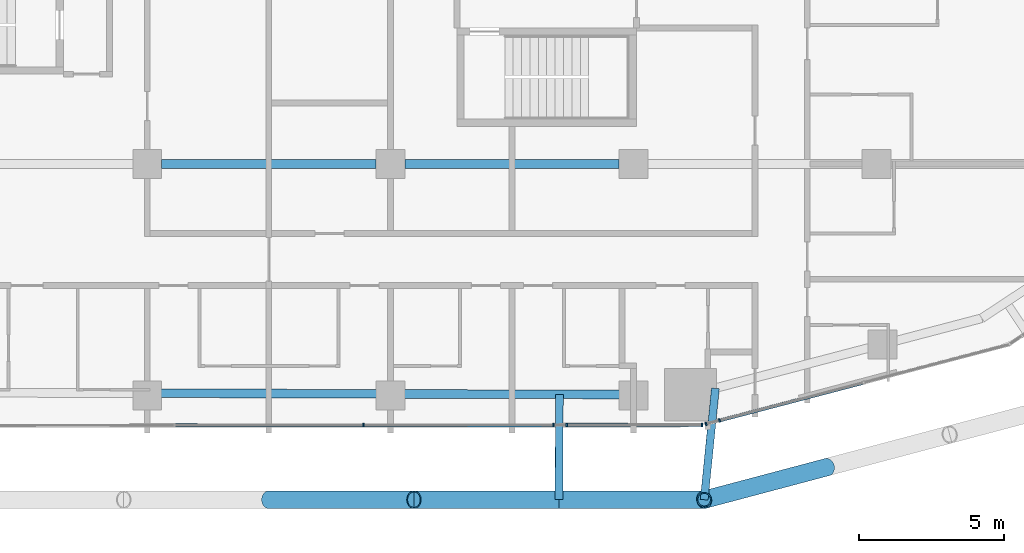
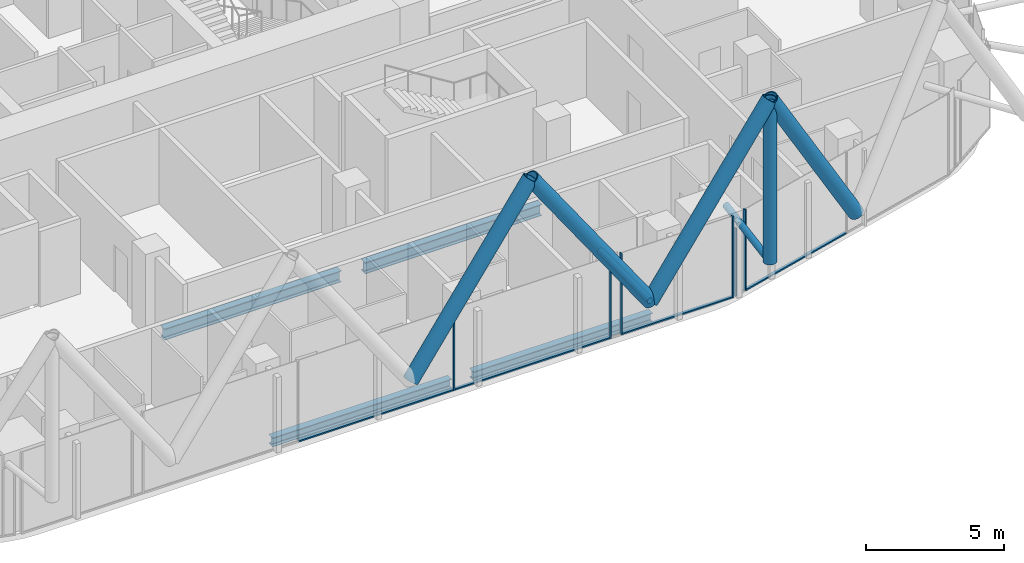
# One storey, part 5 of 38: 17 members, 4 beams, 5 elements without a shape of their own.
"""IFC4 building model written with IfcOpenShell, lengths in metres."""

from ifc_helpers import new_model, si_unit, direction, frame, origin, origin_2d, place, context, subcontext, project, spatial, rectangle, hollow_circle, i_section, extrude, material, layer, layer_set, material_profile, profile_set, type_object, element, aggregate, save


model = new_model("IFC4")

# Units and contexts
model_context = context("Model", 3, precision=1e-05, world=origin(), true_north=direction((0.0, 1.0)))
body_context = subcontext(model_context, "Body", "Model", "MODEL_VIEW")
ifc_project = project(units=[si_unit("LENGTHUNIT", "METRE"), si_unit("AREAUNIT", "SQUARE_METRE"), si_unit("VOLUMEUNIT", "CUBIC_METRE"), si_unit("PLANEANGLEUNIT", "RADIAN"), si_unit("MASSUNIT", "GRAM", prefix="KILO")], contexts=[model_context])

# Site, building, storey
site_placement = place(None, origin())
site = spatial("IfcSite", under=ifc_project, at=site_placement, CompositionType="ELEMENT")
building_placement = place(site_placement, origin())
building = spatial("IfcBuilding", under=site, at=building_placement, Name="Marenta Gate Hotel Tower", CompositionType="ELEMENT")
storey_placement = place(building_placement, frame((0.0, 0.0, 68.89990234375)))
storey = spatial("IfcBuildingStorey", under=building, at=storey_placement, Name="L15", CompositionType="ELEMENT", Elevation=68.89990234375)

# Members
ifc_material_1 = material(Name="Steel S355J2W", Category="steel")
ifc_material_profile_1 = material_profile(ifc_material_1, hollow_circle(Radius=0.25390625, WallThickness=0.0400390625, at=origin_2d()), Name="CHS 508x40")
ifc_profile_set_1 = profile_set([ifc_material_profile_1], Name="Steel S355J2W")
member_type_1 = type_object("IfcMemberType", Name="Diagrid corner post Z1 CHS 508x40", PredefinedType="POST", material=ifc_profile_set_1)
member_1_placement = place(storey_placement, frame((15.0390625, -20.0, 3.14013671875), z_axis=(0.0, 0.0, 1.0), x_axis=(1.0, 0.0, 0.0)))
element("IfcMember", 1, at=member_1_placement, inside=storey, type_object=member_type_1, Name="L15-DR-3", PredefinedType="POST", context=body_context, shape_type="SweptSolid", body=[
    extrude(hollow_circle(Radius=0.25390625, WallThickness=0.0400390625, at=origin_2d()), origin(), (0.0, 0.0, 1.0), 7.199951171875),
])
ifc_material_2 = material(Name="Steel S355J2W", Category="steel")
ifc_material_profile_2 = material_profile(ifc_material_2, hollow_circle(Radius=0.304931640625, WallThickness=0.0400390625, at=origin_2d()), Name="CHS 610x40")
ifc_profile_set_2 = profile_set([ifc_material_profile_2], Name="Steel S355J2W")
member_type_2 = type_object("IfcMemberType", Name="Diagrid diagonal Z1 CHS 610x40", PredefinedType="BRACE", material=ifc_profile_set_2)
member_2_placement = place(storey_placement, frame((19.279296875, -18.875, 3.14013671875), z_axis=(-0.502924018666, -0.133433548941, 0.853968921838), x_axis=(0.256443187528, -0.96655930577, 0.0)))
element("IfcMember", 2, at=member_2_placement, inside=storey, type_object=member_type_2, Name="L15-DG-14", PredefinedType="BRACE", context=body_context, shape_type="SweptSolid", body=[
    extrude(hollow_circle(Radius=0.304931640625, WallThickness=0.0400390625, at=origin_2d()), origin(), (0.0, 0.0, 1.0), 8.43115234375),
])
member_3_placement = place(storey_placement, frame((10.02587890625, -20.0, 3.14013671875), z_axis=(0.571411767966, 0.0, 0.820663506822), x_axis=(0.0, 1.0, 0.0)))
element("IfcMember", 3, at=member_3_placement, inside=storey, type_object=member_type_2, Name="L15-DG-15", PredefinedType="BRACE", context=body_context, shape_type="SweptSolid", body=[
    extrude(hollow_circle(Radius=0.304931640625, WallThickness=0.0400390625, at=origin_2d()), origin(), (0.0, 0.0, 1.0), 8.7734375),
])
for number, where, z_axis, x_axis, name in (
    (4, (10.02587890625, -20.0, 3.14013671875), (-0.571393025954, 0.0, 0.820676556197), (0.0, -1.0, 0.0), "L15-DG-16"),
    (5, (0.0, -20.0, 3.14013671875), (0.571393025954, 0.0, 0.820676556197), (0.0, 1.0, 0.0), "L15-DG-17"),
):
    element("IfcMember", number, at=place(storey_placement, frame(where, z_axis=z_axis, x_axis=x_axis)), inside=storey, type_object=member_type_2, Name=name, PredefinedType="BRACE", context=body_context, shape_type="SweptSolid", body=[
        extrude(hollow_circle(Radius=0.304931640625, WallThickness=0.0400390625, at=origin_2d()), origin(), (0.0, 0.0, 1.0), 8.773193359375),
    ])

# Beams
ifc_material_3 = material(Name="Steel S355", Category="steel")
ifc_material_profile_3 = material_profile(ifc_material_3, i_section(OverallWidth=0.300048828125, OverallDepth=0.39990234375, WebThickness=0.013427734375, FlangeThickness=0.02392578125, FilletRadius=0.027099609375, at=origin_2d()), Name="HEB 400")
ifc_profile_set_3 = profile_set([ifc_material_profile_3], Name="Steel S355")
beam_type_1 = type_object("IfcBeamType", Name="Edge beam HEB 400", PredefinedType="SPANDREL", material=ifc_profile_set_3)
for number, where, z_axis, x_axis, name in (
    (6, (12.139892578125, -16.365966796875, -0.4599609375), (-0.99999624158, 0.002741683018, 0.0), (-0.002741683018, -0.99999624158, 0.0), "L15-EB-32"),
    (7, (3.739990234375, -16.3427734375, -0.4599609375), (-0.99999624158, 0.002741683018, 0.0), (-0.002741683018, -0.99999624158, 0.0), "L15-EB-33"),
):
    element("IfcBeam", number, at=place(storey_placement, frame(where, z_axis=z_axis, x_axis=x_axis)), inside=storey, type_object=beam_type_1, Name=name, PredefinedType="SPANDREL", context=body_context, shape_type="SweptSolid", body=[
        extrude(i_section(OverallWidth=0.300048828125, OverallDepth=0.39990234375, WebThickness=0.013427734375, FlangeThickness=0.02392578125, FilletRadius=0.027099609375, at=origin_2d()), origin(), (0.0, 0.0, 1.0), 7.47998046875),
    ])

# Members
ifc_material_4 = material(Name="Steel S355J2W", Category="steel")
ifc_material_profile_4 = material_profile(ifc_material_4, hollow_circle(Radius=0.136474609375, WallThickness=0.012451171875, at=origin_2d()), Name="CHS 273x12.5")
ifc_profile_set_4 = profile_set([ifc_material_profile_4], Name="Steel S355J2W")
member_type_3 = type_object("IfcMemberType", Name="Floor tie CHS 273x12.5", PredefinedType="STRUT", material=ifc_profile_set_4)
member_4_placement = place(storey_placement, frame((15.0390625, -20.0, 3.14013671875), z_axis=(0.100354093407, 0.994951785735, 0.0), x_axis=(-0.994951785735, 0.100354093407, 0.0)))
element("IfcMember", 8, at=member_4_placement, inside=storey, type_object=member_type_3, Name="L15-DR-13", PredefinedType="STRUT", context=body_context, shape_type="SweptSolid", body=[
    extrude(hollow_circle(Radius=0.136474609375, WallThickness=0.012451171875, at=origin_2d()), origin(), (0.0, 0.0, 1.0), 3.86572265625),
])
member_5_placement = place(storey_placement, frame((10.02587890625, -20.0, 3.14013671875), z_axis=(0.002755180726, 0.999996204482, 0.0), x_axis=(-0.999996204482, 0.002755180726, 0.0)))
element("IfcMember", 9, at=member_5_placement, inside=storey, type_object=member_type_3, Name="L15-DR-14", PredefinedType="STRUT", context=body_context, shape_type="SweptSolid", body=[
    extrude(hollow_circle(Radius=0.136474609375, WallThickness=0.012451171875, at=origin_2d()), origin(), (0.0, 0.0, 1.0), 3.633056640625),
])

# Beams
ifc_material_5 = material(Name="Steel S355", Category="steel")
ifc_material_profile_5 = material_profile(ifc_material_5, i_section(OverallWidth=0.300048828125, OverallDepth=0.5, WebThickness=0.014404296875, FlangeThickness=0.028076171875, FilletRadius=0.027099609375, at=origin_2d()), Name="HEB 500")
ifc_profile_set_5 = profile_set([ifc_material_profile_5], Name="Steel S355")
beam_type_2 = type_object("IfcBeamType", Name="Girder HEB 500", PredefinedType="BEAM", material=ifc_profile_set_5)
beam_1_placement = place(storey_placement, frame((-3.699951171875, -8.39990234375, -0.510009765625), z_axis=(1.0, 0.0, 0.0), x_axis=(0.0, 1.0, 0.0)))
element("IfcBeam", 10, at=beam_1_placement, inside=storey, type_object=beam_type_2, Name="L15-GD-4", PredefinedType="BEAM", context=body_context, shape_type="SweptSolid", body=[
    extrude(i_section(OverallWidth=0.300048828125, OverallDepth=0.5, WebThickness=0.014404296875, FlangeThickness=0.028076171875, FilletRadius=0.027099609375, at=origin_2d()), origin(), (0.0, 0.0, 1.0), 7.39990234375),
])
beam_2_placement = place(storey_placement, frame((4.699951171875, -8.39990234375, -0.510009765625), z_axis=(1.0, 0.0, 0.0), x_axis=(0.0, 1.0, 0.0)))
element("IfcBeam", 11, at=beam_2_placement, inside=storey, type_object=beam_type_2, Name="L15-GD-5", PredefinedType="BEAM", context=body_context, shape_type="SweptSolid", body=[
    extrude(i_section(OverallWidth=0.300048828125, OverallDepth=0.5, WebThickness=0.014404296875, FlangeThickness=0.028076171875, FilletRadius=0.027099609375, at=origin_2d()), origin(), (0.0, 0.0, 1.0), 7.400146484375),
])

# Curtain wall, member
ifc_material_6 = material(Name="Tinted insulated glass in bronze anodised frame", Category="glass")
ifc_layer = layer(ifc_material_6, 0.1201171875)
ifc_layer_set = layer_set([ifc_layer], Name="Tinted insulated glass in bronze anodised frame")
curtain_wall_type = type_object("IfcCurtainWallType", Name="Tower unitised curtain wall CW1", PredefinedType="NOTDEFINED", material=ifc_layer_set)
curtain_wall_1_placement = place(storey_placement, origin())
curtain_wall_1 = element("IfcCurtainWall", 12, at=curtain_wall_1_placement, inside=storey, type_object=curtain_wall_type, Name="CW1 run G20", PredefinedType="NOTDEFINED")
ifc_material_7 = material(Name="Bronze anodised aluminium", Category="aluminium")
ifc_material_profile_6 = material_profile(ifc_material_7, rectangle(XDim=0.1201171875, YDim=0.06005859375, at=origin_2d()), Name="Mullion CW1 60x120 bronze anodised aluminium")
ifc_profile_set_6 = profile_set([ifc_material_profile_6], Name="Bronze anodised aluminium")
member_type_4 = type_object("IfcMemberType", Name="Mullion CW1 60x120 bronze anodised aluminium", PredefinedType="MULLION", material=ifc_profile_set_6)
member_6_placement = place(storey_placement, frame((3.273681640625, -17.4267578125, 0.0), z_axis=(0.0, 0.0, 1.0), x_axis=(-0.001163317936, 0.999999323345, 0.0)))
member_6 = element("IfcMember", 13, at=member_6_placement, type_object=member_type_4, Name="CW1 mullion 3", PredefinedType="MULLION", context=body_context, shape_type="SweptSolid", body=[
    extrude(rectangle(XDim=0.1201171875, YDim=0.06005859375, at=origin_2d()), origin(), (0.0, 0.0, 1.0), 3.60009765625),
])

curtain_wall_2_placement = place(storey_placement, origin())
curtain_wall_2 = element("IfcCurtainWall", 14, at=curtain_wall_2_placement, inside=storey, type_object=curtain_wall_type, Name="CW1 run G21", PredefinedType="NOTDEFINED")
member_7_placement = place(storey_placement, frame((9.836669921875, -17.4189453125, 0.0), z_axis=(0.0, 0.0, 1.0), x_axis=(-0.001103752086, 0.999999390865, 0.0)))
member_7 = element("IfcMember", 15, at=member_7_placement, type_object=member_type_4, Name="CW1 mullion 1", PredefinedType="MULLION", context=body_context, shape_type="SweptSolid", body=[
    extrude(rectangle(XDim=0.1201171875, YDim=0.06005859375, at=origin_2d()), origin(), (0.0, 0.0, 1.0), 3.00048828125),
])
aggregate(curtain_wall_2, [member_7])

# Curtain wall, members
curtain_wall_3_placement = place(storey_placement, origin())
curtain_wall_3 = element("IfcCurtainWall", 16, at=curtain_wall_3_placement, inside=storey, type_object=curtain_wall_type, Name="CW1 run G22", PredefinedType="NOTDEFINED")
member_8_placement = place(storey_placement, frame((10.28955078125, -17.41845703125, 0.0), z_axis=(0.0, 0.0, 1.0), x_axis=(-0.001161782868, 0.99999932513, 0.0)))
member_8 = element("IfcMember", 17, at=member_8_placement, type_object=member_type_4, Name="CW1 mullion 1", PredefinedType="MULLION", context=body_context, shape_type="SweptSolid", body=[
    extrude(rectangle(XDim=0.1201171875, YDim=0.06005859375, at=origin_2d()), origin(), (0.0, 0.0, 1.0), 3.60009765625),
])
member_9_placement = place(storey_placement, frame((14.963623046875, -17.4130859375, 0.0), z_axis=(0.0, 0.0, 1.0), x_axis=(-0.001161782868, 0.99999932513, 0.0)))
member_9 = element("IfcMember", 18, at=member_9_placement, type_object=member_type_4, Name="CW1 mullion 2", PredefinedType="MULLION", context=body_context, shape_type="SweptSolid", body=[
    extrude(rectangle(XDim=0.1201171875, YDim=0.06005859375, at=origin_2d()), origin(), (0.0, 0.0, 1.0), 3.60009765625),
])

# Curtain wall, member
curtain_wall_4_placement = place(storey_placement, origin())
curtain_wall_4 = element("IfcCurtainWall", 19, at=curtain_wall_4_placement, inside=storey, type_object=curtain_wall_type, Name="CW1 run G23", PredefinedType="NOTDEFINED")
member_10_placement = place(storey_placement, frame((15.103515625, -17.38427734375, 0.0), z_axis=(0.0, 0.0, 1.0), x_axis=(-0.25342392363, 0.967355319897, 0.0)))
member_10 = element("IfcMember", 20, at=member_10_placement, type_object=member_type_4, Name="CW1 mullion 1", PredefinedType="MULLION", context=body_context, shape_type="SweptSolid", body=[
    extrude(rectangle(XDim=0.1201171875, YDim=0.06005859375, at=origin_2d()), origin(), (0.0, 0.0, 1.0), 3.00048828125),
])
aggregate(curtain_wall_4, [member_10])

curtain_wall_5_placement = place(storey_placement, origin())
curtain_wall_5 = element("IfcCurtainWall", 21, at=curtain_wall_5_placement, inside=storey, type_object=curtain_wall_type, Name="CW1 run G24", PredefinedType="NOTDEFINED")
member_11_placement = place(storey_placement, frame((15.571044921875, -17.26171875, 0.0), z_axis=(0.0, 0.0, 1.0), x_axis=(-0.253363691666, 0.967371097224, 0.0)))
member_11 = element("IfcMember", 22, at=member_11_placement, type_object=member_type_4, Name="CW1 mullion 1", PredefinedType="MULLION", context=body_context, shape_type="SweptSolid", body=[
    extrude(rectangle(XDim=0.1201171875, YDim=0.06005859375, at=origin_2d()), origin(), (0.0, 0.0, 1.0), 3.60009765625),
])

# Member
ifc_material_8 = material(Name="Bronze anodised aluminium", Category="aluminium")
ifc_material_profile_7 = material_profile(ifc_material_8, rectangle(XDim=0.1201171875, YDim=0.06005859375, at=origin_2d()), Name="Transom CW1 60x120 bronze anodised aluminium")
ifc_profile_set_7 = profile_set([ifc_material_profile_7], Name="Bronze anodised aluminium")
member_type_5 = type_object("IfcMemberType", Name="Transom CW1 60x120 bronze anodised aluminium", PredefinedType="USERDEFINED", material=ifc_profile_set_7)
member_12_placement = place(storey_placement, frame((-3.2294921875, -17.434326171875, 0.030029296875), z_axis=(0.999999316494, 0.001169192834, 0.0), x_axis=(-0.001169192834, 0.999999316494, 0.0)))
member_12 = element("IfcMember", 23, at=member_12_placement, type_object=member_type_5, Name="CW1 transom 2.1", ObjectType="TRANSOM", PredefinedType="USERDEFINED", context=body_context, shape_type="SweptSolid", body=[
    extrude(rectangle(XDim=0.1201171875, YDim=0.06005859375, at=origin_2d()), origin(), (0.0, 0.0, 1.0), 6.47314453125),
])

member_13_placement = place(storey_placement, frame((3.303466796875, -17.4267578125, 0.030029296875), z_axis=(0.999999322792, 0.001163793933, 0.0), x_axis=(-0.001163793933, 0.999999322792, 0.0)))
member_13 = element("IfcMember", 24, at=member_13_placement, type_object=member_type_5, Name="CW1 transom 3.1", ObjectType="TRANSOM", PredefinedType="USERDEFINED", context=body_context, shape_type="SweptSolid", body=[
    extrude(rectangle(XDim=0.1201171875, YDim=0.06005859375, at=origin_2d()), origin(), (0.0, 0.0, 1.0), 6.503173828125),
])

aggregate(curtain_wall_1, [member_6, member_12, member_13])

member_14_placement = place(storey_placement, frame((10.319580078125, -17.41845703125, 0.030029296875), z_axis=(0.999999322456, 0.001164081967, 0.0), x_axis=(-0.001164081967, 0.999999322456, 0.0)))
member_14 = element("IfcMember", 25, at=member_14_placement, type_object=member_type_5, Name="CW1 transom 1.1", ObjectType="TRANSOM", PredefinedType="USERDEFINED", context=body_context, shape_type="SweptSolid", body=[
    extrude(rectangle(XDim=0.1201171875, YDim=0.06005859375, at=origin_2d()), origin(), (0.0, 0.0, 1.0), 4.614013671875),
])

aggregate(curtain_wall_3, [member_8, member_9, member_14])

member_15_placement = place(storey_placement, frame((15.60009765625, -17.254150390625, 0.030029296875), z_axis=(0.967374461707, 0.253350845344, 0.0), x_axis=(-0.253350845344, 0.967374461707, 0.0)))
member_15 = element("IfcMember", 26, at=member_15_placement, type_object=member_type_5, Name="CW1 transom 1.1", ObjectType="TRANSOM", PredefinedType="USERDEFINED", context=body_context, shape_type="SweptSolid", body=[
    extrude(rectangle(XDim=0.1201171875, YDim=0.06005859375, at=origin_2d()), origin(), (0.0, 0.0, 1.0), 5.091796875),
])

aggregate(curtain_wall_5, [member_11, member_15])

save(model, "model.ifc")
